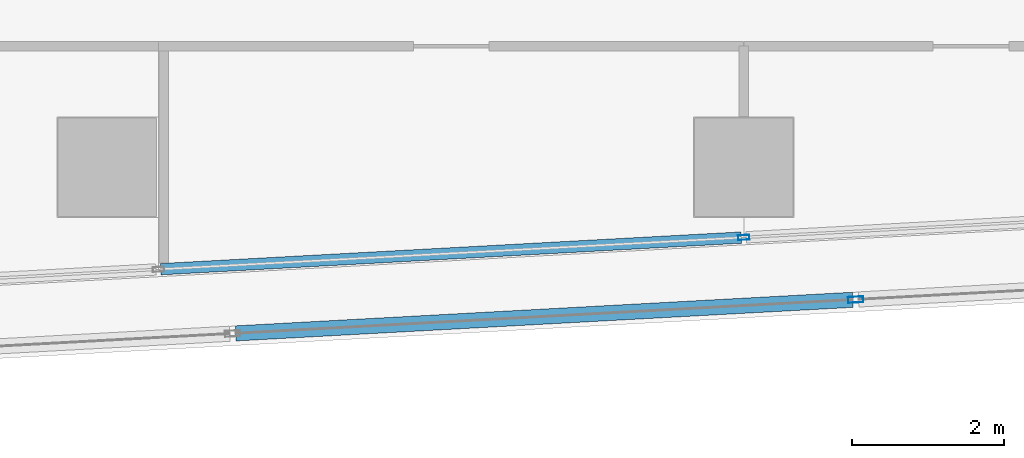
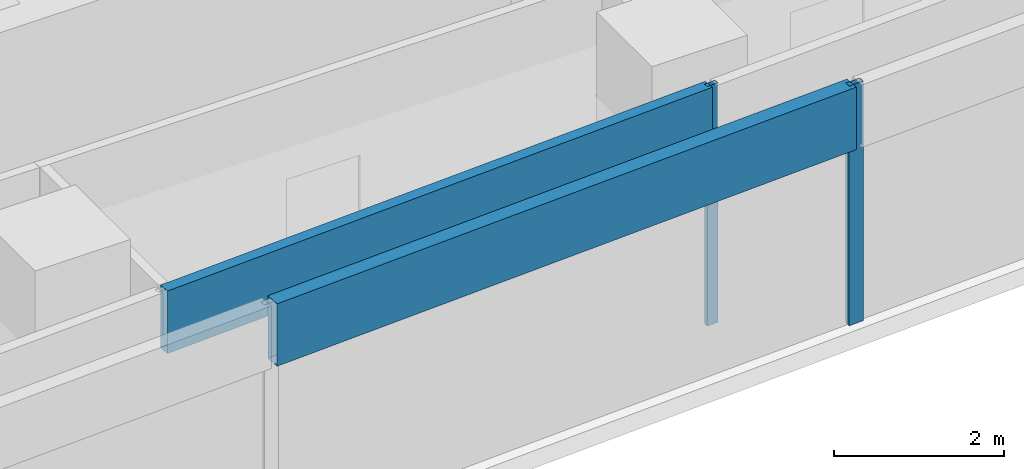
# One storey, part 10 of 30: 4 members, 2 elements without a shape of their own.
"""IFC4 building model written with IfcOpenShell, lengths in metres."""

from ifc_helpers import new_model, si_unit, direction, frame, origin, origin_2d, place, context, subcontext, project, spatial, hollow_rectangle, extrude, material, material_profile, profile_set, type_object, element, aggregate, save


model = new_model("IFC4")

# Units and contexts
model_context = context("Model", 3, precision=1e-05, world=origin(), true_north=direction((0.0, 1.0)))
body_context = subcontext(model_context, "Body", "Model", "MODEL_VIEW")
ifc_project = project(units=[si_unit("LENGTHUNIT", "METRE"), si_unit("AREAUNIT", "SQUARE_METRE"), si_unit("VOLUMEUNIT", "CUBIC_METRE"), si_unit("PLANEANGLEUNIT", "RADIAN"), si_unit("MASSUNIT", "GRAM", prefix="KILO")], contexts=[model_context])

# Site, building, storey
site_placement = place(None, origin())
site = spatial("IfcSite", under=ifc_project, at=site_placement, CompositionType="ELEMENT")
building_placement = place(site_placement, origin())
building = spatial("IfcBuilding", under=site, at=building_placement, Name="Rekha Terrace Tower", CompositionType="ELEMENT")
storey_placement = place(building_placement, frame((0.0, 0.0, 287.60009765625)))
storey = spatial("IfcBuildingStorey", under=building, at=storey_placement, Name="L73", CompositionType="ELEMENT", Elevation=287.60009765625)

# Curtain wall, members
ifc_material_1 = material(Name="Aluminium framing", Category="aluminium")
curtain_wall_type_1 = type_object("IfcCurtainWallType", Name="CW1 double skin inner glazing", PredefinedType="USERDEFINED", material=ifc_material_1)
curtain_wall_1_placement = place(storey_placement, origin())
curtain_wall_1 = element("IfcCurtainWall", 1, at=curtain_wall_1_placement, inside=storey, type_object=curtain_wall_type_1, Name="CW1 double skin inner glazing", ObjectType="DOUBLE SKIN INNER GLAZING", PredefinedType="USERDEFINED")
ifc_material_2 = material(Name="Aluminium mullion section", Category="aluminium")
ifc_material_profile_1 = material_profile(ifc_material_2, hollow_rectangle(XDim=0.06494140625, YDim=0.14990234375, WallThickness=0.00390625, at=origin_2d()), Name="AL RHS 65x150")
ifc_profile_set_1 = profile_set([ifc_material_profile_1], Name="Aluminium mullion section")
member_type_1 = type_object("IfcMemberType", Name="CW1 mullion RHS 65 x 150", PredefinedType="MULLION", material=ifc_profile_set_1)
member_1_placement = place(storey_placement, frame((50.399169921875, 15.875, 0.0), z_axis=(0.0, 0.0, 1.0), x_axis=(-0.054388903036, 0.998519828159, 0.0)))
member_1 = element("IfcMember", 2, at=member_1_placement, type_object=member_type_1, Name="CW1 mullion 4", PredefinedType="MULLION", context=body_context, shape_type="SweptSolid", body=[
    extrude(hollow_rectangle(XDim=0.06494140625, YDim=0.14990234375, WallThickness=0.00390625, at=origin_2d()), origin(), (0.0, 0.0, 1.0), 3.449951171875),
])
ifc_material_3 = material(Name="Insulated aluminium spandrel box", Category="aluminium")
ifc_material_profile_2 = material_profile(ifc_material_3, hollow_rectangle(XDim=0.14990234375, YDim=0.89990234375, WallThickness=0.0029296875, at=origin_2d()), Name="AL SPANDREL BOX 150x900")
ifc_profile_set_2 = profile_set([ifc_material_profile_2], Name="Insulated aluminium spandrel box")
member_type_2 = type_object("IfcMemberType", Name="CW1 spandrel transom 150 x 900", PredefinedType="USERDEFINED", material=ifc_profile_set_2)
member_2_placement = place(storey_placement, frame((42.7060546875, 15.4560546875, 3.0), z_axis=(0.998520078442, 0.054384307925, 0.0), x_axis=(-0.054384307925, 0.998520078442, 0.0)))
member_2 = element("IfcMember", 3, at=member_2_placement, type_object=member_type_2, Name="CW1 spandrel transom 3", ObjectType="TRANSOM", PredefinedType="USERDEFINED", context=body_context, shape_type="SweptSolid", body=[
    extrude(hollow_rectangle(XDim=0.14990234375, YDim=0.89990234375, WallThickness=0.0029296875, at=origin_2d()), origin(), (0.0, 0.0, 1.0), 7.672119140625),
])
aggregate(curtain_wall_1, [member_1, member_2])

curtain_wall_type_2 = type_object("IfcCurtainWallType", Name="CW2 double skin outer glazing", PredefinedType="USERDEFINED", material=ifc_material_1)
curtain_wall_2_placement = place(storey_placement, origin())
curtain_wall_2 = element("IfcCurtainWall", 4, at=curtain_wall_2_placement, inside=storey, type_object=curtain_wall_type_2, Name="CW2 double skin outer glazing", ObjectType="DOUBLE SKIN OUTER GLAZING", PredefinedType="USERDEFINED")
ifc_material_profile_3 = material_profile(ifc_material_2, hollow_rectangle(XDim=0.080078125, YDim=0.199951171875, WallThickness=0.00390625, at=origin_2d()), Name="AL RHS 80x200")
ifc_profile_set_3 = profile_set([ifc_material_profile_3], Name="Aluminium mullion section")
member_type_3 = type_object("IfcMemberType", Name="CW2 mullion RHS 80 x 200", PredefinedType="MULLION", material=ifc_profile_set_3)
member_3_placement = place(storey_placement, frame((51.87646484375, 15.05419921875, 0.0), z_axis=(0.0, 0.0, 1.0), x_axis=(-0.054388903071, 0.998519828157, 0.0)))
member_3 = element("IfcMember", 5, at=member_3_placement, type_object=member_type_3, Name="CW2 mullion 4", PredefinedType="MULLION", context=body_context, shape_type="SweptSolid", body=[
    extrude(hollow_rectangle(XDim=0.080078125, YDim=0.199951171875, WallThickness=0.00390625, at=origin_2d()), origin(), (0.0, 0.0, 1.0), 3.449951171875),
])
ifc_material_profile_4 = material_profile(ifc_material_3, hollow_rectangle(XDim=0.199951171875, YDim=0.89990234375, WallThickness=0.0029296875, at=origin_2d()), Name="AL SPANDREL BOX 200x900")
ifc_profile_set_4 = profile_set([ifc_material_profile_4], Name="Insulated aluminium spandrel box")
member_type_4 = type_object("IfcMemberType", Name="CW2 spandrel transom 200 x 900", PredefinedType="USERDEFINED", material=ifc_profile_set_4)
member_4_placement = place(storey_placement, frame((43.693115234375, 14.6083984375, 3.0), z_axis=(0.998519642092, 0.054392318914, 0.0), x_axis=(-0.054392318914, 0.998519642092, 0.0)))
member_4 = element("IfcMember", 6, at=member_4_placement, type_object=member_type_4, Name="CW2 spandrel transom 3", ObjectType="TRANSOM", PredefinedType="USERDEFINED", context=body_context, shape_type="SweptSolid", body=[
    extrude(hollow_rectangle(XDim=0.199951171875, YDim=0.89990234375, WallThickness=0.0029296875, at=origin_2d()), origin(), (0.0, 0.0, 1.0), 8.155517578125),
])
aggregate(curtain_wall_2, [member_3, member_4])

save(model, "model.ifc")
